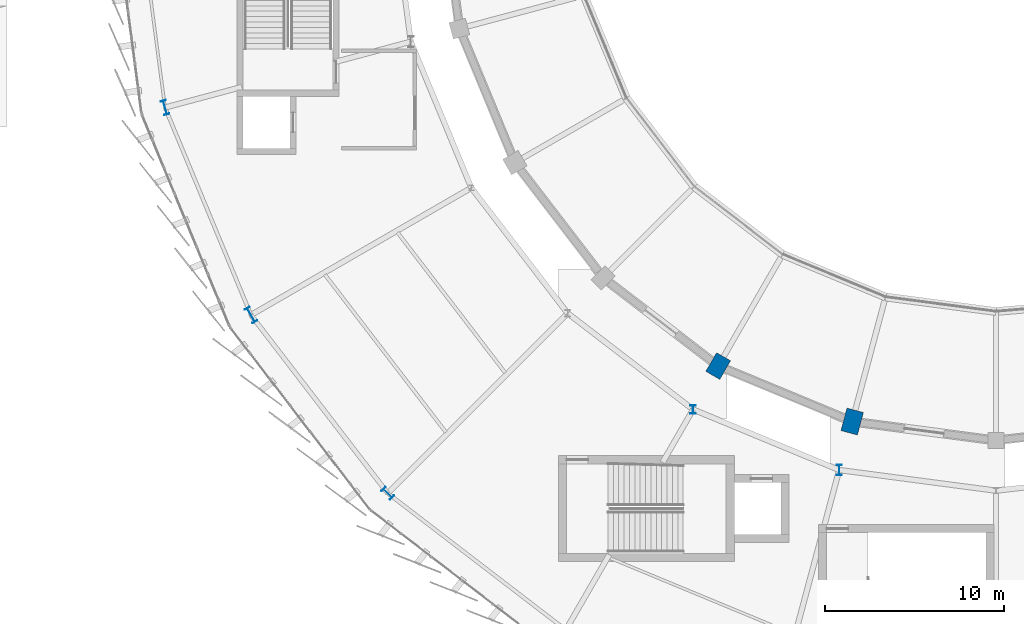
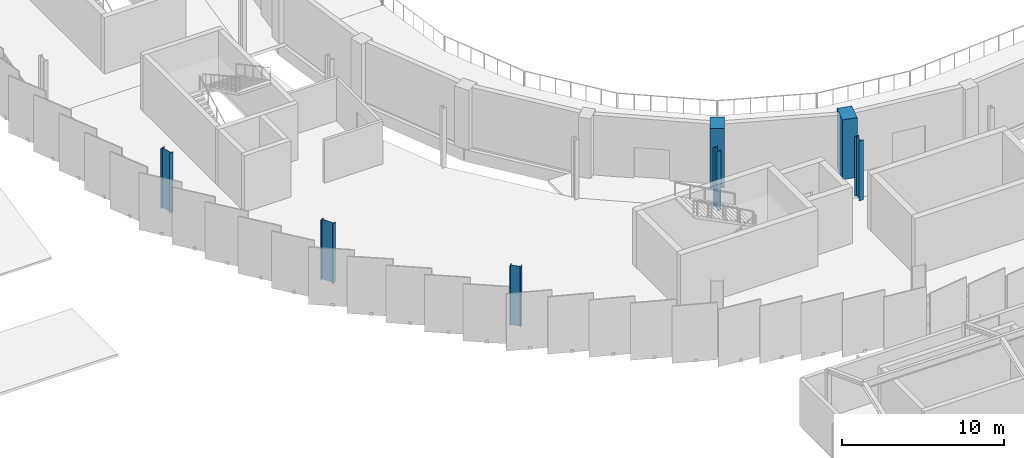
# One storey, part 2 of 87: 7 columns.
"""IFC4 building model written with IfcOpenShell, lengths in metres."""

from ifc_helpers import new_model, si_unit, direction, frame, origin, origin_2d, place, context, subcontext, project, spatial, rectangle, i_section, extrude, material, material_profile, profile_set, type_object, element, save


model = new_model("IFC4")

# Units and contexts
model_context = context("Model", 3, precision=1e-05, world=origin(), true_north=direction((0.0, 1.0)))
body_context = subcontext(model_context, "Body", "Model", "MODEL_VIEW")
ifc_project = project(units=[si_unit("LENGTHUNIT", "METRE"), si_unit("AREAUNIT", "SQUARE_METRE"), si_unit("VOLUMEUNIT", "CUBIC_METRE"), si_unit("PLANEANGLEUNIT", "RADIAN"), si_unit("MASSUNIT", "GRAM", prefix="KILO")], contexts=[model_context])

# Site, building, storey
site_placement = place(None, origin())
site = spatial("IfcSite", under=ifc_project, at=site_placement, CompositionType="ELEMENT")
building_placement = place(site_placement, origin())
building = spatial("IfcBuilding", under=site, at=building_placement, Name="Sohan Crest Arena", CompositionType="ELEMENT")
storey_placement = place(building_placement, frame((0.0, 0.0, 18.0)))
storey = spatial("IfcBuildingStorey", under=building, at=storey_placement, Name="L04", CompositionType="ELEMENT", Elevation=18.0)

# Columns
ifc_material_1 = material(Name="Concrete C40/50", Category="concrete")
ifc_material_profile_1 = material_profile(ifc_material_1, rectangle(XDim=1.199951171875, YDim=0.89990234375, at=origin_2d()), Name="RC 1200x900")
ifc_profile_set_1 = profile_set([ifc_material_profile_1], Name="Concrete C40/50")
column_type_1 = type_object("IfcColumnType", Name="STR-COL-C11", PredefinedType="COLUMN", material=ifc_profile_set_1)
column_1_placement = place(storey_placement, frame((82.5, 51.153076171875, 0.0), z_axis=(0.0, 0.0, 1.0), x_axis=(0.5, 0.866025403784, 0.0)))
element("IfcColumn", 1, at=column_1_placement, inside=storey, type_object=column_type_1, Name="Structural column COL-V1R-11-L04", PredefinedType="COLUMN", context=body_context, shape_type="SweptSolid", body=[
    extrude(rectangle(XDim=1.199951171875, YDim=0.89990234375, at=origin_2d()), origin(), (0.0, 0.0, 1.0), 4.5),
])
ifc_material_profile_2 = material_profile(ifc_material_1, rectangle(XDim=1.300048828125, YDim=0.949951171875, at=origin_2d()), Name="RC 1300x950")
ifc_profile_set_2 = profile_set([ifc_material_profile_2], Name="Concrete C40/50")
column_type_2 = type_object("IfcColumnType", Name="STR-COL-C12", PredefinedType="COLUMN", material=ifc_profile_set_2)
column_2_placement = place(storey_placement, frame((89.97705078125, 48.055908203125, 0.0), z_axis=(0.0, 0.0, 1.0), x_axis=(0.258819045103, 0.965925826289, 0.0)))
element("IfcColumn", 2, at=column_2_placement, inside=storey, type_object=column_type_2, Name="Structural column COL-V1R-12-L04", PredefinedType="COLUMN", context=body_context, shape_type="SweptSolid", body=[
    extrude(rectangle(XDim=1.300048828125, YDim=0.949951171875, at=origin_2d()), origin(), (0.0, 0.0, 1.0), 4.5),
])
ifc_material_2 = material(Name="Steel S355", Category="steel")
ifc_material_profile_3 = material_profile(ifc_material_2, i_section(OverallWidth=0.300048828125, OverallDepth=0.5, WebThickness=0.014404296875, FlangeThickness=0.028076171875, at=origin_2d()), Name="HEB 500")
ifc_profile_set_3 = profile_set([ifc_material_profile_3], Name="Steel S355")
column_type_3 = type_object("IfcColumnType", Name="STR-COL-C19", PredefinedType="COLUMN", material=ifc_profile_set_3)
column_3_placement = place(storey_placement, frame((81.10009765625, 48.72802734375, 0.0), z_axis=(0.0, 0.0, 1.0), x_axis=(1.0, 0.0, 0.0)))
element("IfcColumn", 3, at=column_3_placement, inside=storey, type_object=column_type_3, Name="Structural column COL-V2I-11-L04", PredefinedType="COLUMN", context=body_context, shape_type="SweptSolid", body=[
    extrude(i_section(OverallWidth=0.300048828125, OverallDepth=0.5, WebThickness=0.014404296875, FlangeThickness=0.028076171875, at=origin_2d()), origin(), (0.0, 0.0, 1.0), 4.5),
])
ifc_material_profile_4 = material_profile(ifc_material_2, i_section(OverallWidth=0.300048828125, OverallDepth=0.60009765625, WebThickness=0.015380859375, FlangeThickness=0.030029296875, at=origin_2d()), Name="HEB 600")
ifc_profile_set_4 = profile_set([ifc_material_profile_4], Name="Steel S355")
column_type_4 = type_object("IfcColumnType", Name="STR-COL-C20", PredefinedType="COLUMN", material=ifc_profile_set_4)
column_4_placement = place(storey_placement, frame((89.251953125, 45.35205078125, 0.0), z_axis=(0.0, 0.0, 1.0), x_axis=(1.0, 0.0, 0.0)))
element("IfcColumn", 4, at=column_4_placement, inside=storey, type_object=column_type_4, Name="Structural column COL-V2I-12-L04", PredefinedType="COLUMN", context=body_context, shape_type="SweptSolid", body=[
    extrude(i_section(OverallWidth=0.300048828125, OverallDepth=0.60009765625, WebThickness=0.015380859375, FlangeThickness=0.030029296875, at=origin_2d()), origin(), (0.0, 0.0, 1.0), 4.5),
])
ifc_material_profile_5 = material_profile(ifc_material_2, i_section(OverallWidth=0.300048828125, OverallDepth=0.699951171875, WebThickness=0.01708984375, FlangeThickness=0.031982421875, at=origin_2d()), Name="HEB 700")
ifc_profile_set_5 = profile_set([ifc_material_profile_5], Name="Steel S355")
column_type_5 = type_object("IfcColumnType", Name="STR-COL-C21", PredefinedType="COLUMN", material=ifc_profile_set_5)
column_5_placement = place(storey_placement, frame((64.05908203125, 44.05908203125, 0.0), z_axis=(0.0, 0.0, 1.0), x_axis=(0.707106781187, 0.707106781187, 0.0)))
element("IfcColumn", 5, at=column_5_placement, inside=storey, type_object=column_type_5, Name="Structural column COL-V2O-10-L04", PredefinedType="COLUMN", context=body_context, shape_type="SweptSolid", body=[
    extrude(i_section(OverallWidth=0.300048828125, OverallDepth=0.699951171875, WebThickness=0.01708984375, FlangeThickness=0.031982421875, at=origin_2d()), origin(), (0.0, 0.0, 1.0), 4.5),
])
ifc_material_profile_6 = material_profile(ifc_material_2, i_section(OverallWidth=0.300048828125, OverallDepth=0.800048828125, WebThickness=0.017578125, FlangeThickness=0.032958984375, at=origin_2d()), Name="HEB 800")
ifc_profile_set_6 = profile_set([ifc_material_profile_6], Name="Steel S355")
column_type_6 = type_object("IfcColumnType", Name="STR-COL-C22", PredefinedType="COLUMN", material=ifc_profile_set_6)
column_6_placement = place(storey_placement, frame((51.635986328125, 65.576904296875, 0.0), z_axis=(0.0, 0.0, 1.0), x_axis=(0.965925826289, 0.258819045103, 0.0)))
element("IfcColumn", 6, at=column_6_placement, inside=storey, type_object=column_type_6, Name="Structural column COL-V2O-08-L04", PredefinedType="COLUMN", context=body_context, shape_type="SweptSolid", body=[
    extrude(i_section(OverallWidth=0.300048828125, OverallDepth=0.800048828125, WebThickness=0.017578125, FlangeThickness=0.032958984375, at=origin_2d()), origin(), (0.0, 0.0, 1.0), 4.5),
])
ifc_material_profile_7 = material_profile(ifc_material_2, i_section(OverallWidth=0.300048828125, OverallDepth=0.89990234375, WebThickness=0.0185546875, FlangeThickness=0.034912109375, at=origin_2d()), Name="HEB 900")
ifc_profile_set_7 = profile_set([ifc_material_profile_7], Name="Steel S355")
column_type_7 = type_object("IfcColumnType", Name="STR-COL-C23", PredefinedType="COLUMN", material=ifc_profile_set_7)
column_7_placement = place(storey_placement, frame((56.430908203125, 54.0, 0.0), z_axis=(0.0, 0.0, 1.0), x_axis=(0.866025403784, 0.5, 0.0)))
element("IfcColumn", 7, at=column_7_placement, inside=storey, type_object=column_type_7, Name="Structural column COL-V2O-09-L04", PredefinedType="COLUMN", context=body_context, shape_type="SweptSolid", body=[
    extrude(i_section(OverallWidth=0.300048828125, OverallDepth=0.89990234375, WebThickness=0.0185546875, FlangeThickness=0.034912109375, at=origin_2d()), origin(), (0.0, 0.0, 1.0), 4.5),
])

save(model, "model.ifc")
